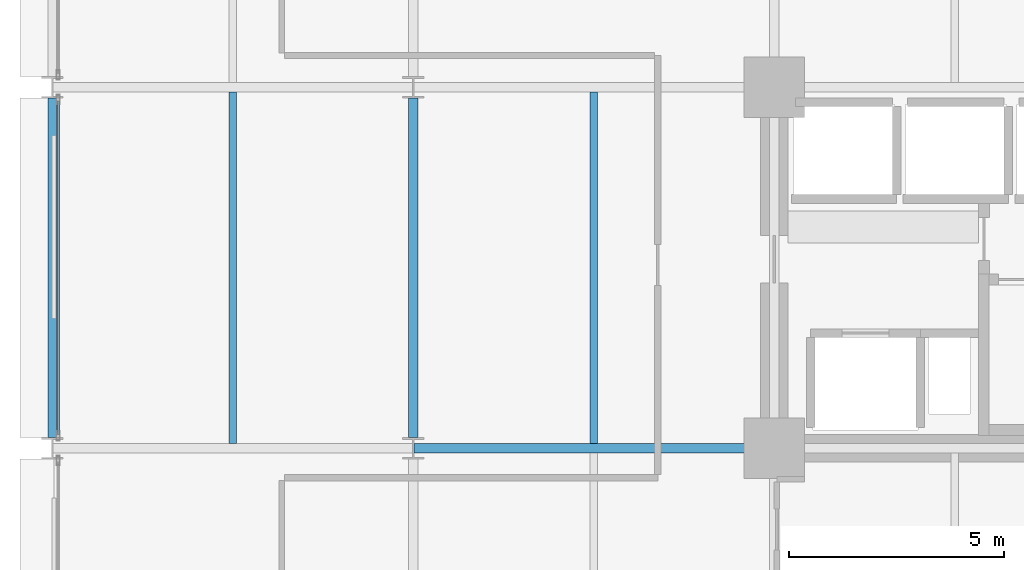
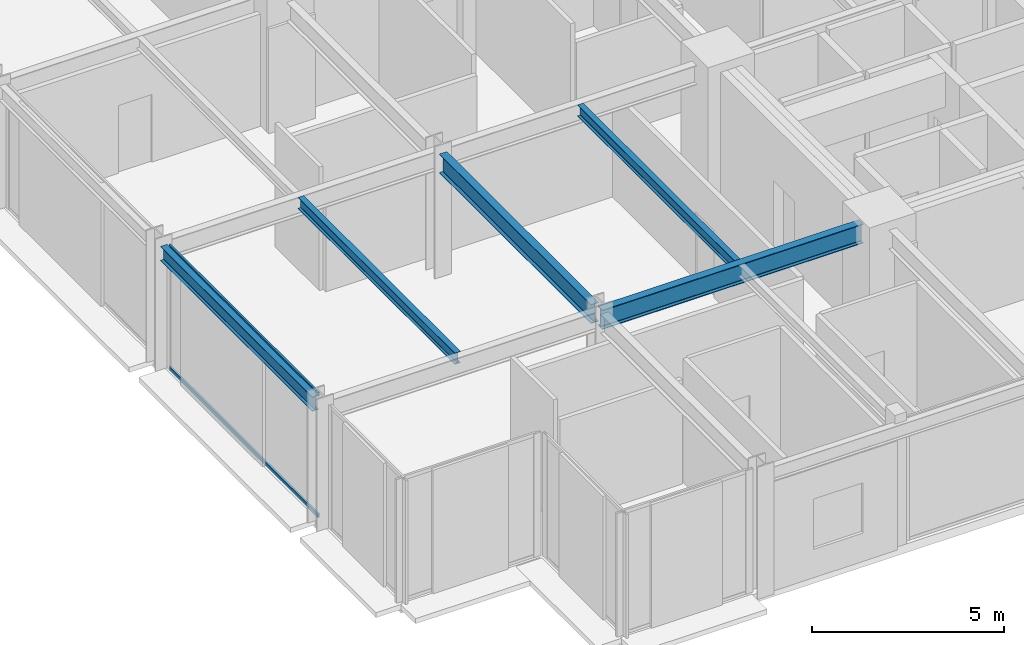
# One storey, part 3 of 25: 5 beams, 2 members, 1 element without a shape of its own.
"""IFC4 building model written with IfcOpenShell, lengths in metres."""

from ifc_helpers import new_model, si_unit, direction, frame, origin, origin_2d, place, context, subcontext, project, spatial, hollow_rectangle, i_section, extrude, material, layer, layer_set, material_profile, profile_set, type_object, element, aggregate, save


model = new_model("IFC4")

# Units and contexts
model_context = context("Model", 3, precision=1e-05, world=origin(), true_north=direction((0.0, 1.0)))
body_context = subcontext(model_context, "Body", "Model", "MODEL_VIEW")
ifc_project = project(units=[si_unit("LENGTHUNIT", "METRE"), si_unit("AREAUNIT", "SQUARE_METRE"), si_unit("VOLUMEUNIT", "CUBIC_METRE"), si_unit("PLANEANGLEUNIT", "RADIAN"), si_unit("MASSUNIT", "GRAM", prefix="KILO")], contexts=[model_context])

# Site, building, storey
site_placement = place(None, origin())
site = spatial("IfcSite", under=ifc_project, at=site_placement, CompositionType="ELEMENT")
building_placement = place(site_placement, origin())
building = spatial("IfcBuilding", under=site, at=building_placement, Name="Nerrivon Quay Data Exchange", CompositionType="ELEMENT")
storey_placement = place(building_placement, frame((0.0, 0.0, 41.60009765625)))
storey = spatial("IfcBuildingStorey", under=building, at=storey_placement, Name="L09", CompositionType="ELEMENT", Elevation=41.60009765625)

# Beams
ifc_material_1 = material(Name="Steel Grade 350", Category="steel")
ifc_material_profile_1 = material_profile(ifc_material_1, i_section(OverallWidth=0.22900390625, OverallDepth=0.612060546875, WebThickness=0.011962890625, FlangeThickness=0.01953125, FilletRadius=0.013916015625, at=origin_2d()), Name="610UB125")
ifc_profile_set_1 = profile_set([ifc_material_profile_1], Name="Steel Grade 350")
beam_type_1 = type_object("IfcBeamType", Name="BM-G1-610UB125", PredefinedType="BEAM", material=ifc_profile_set_1)
beam_1_placement = place(storey_placement, frame((8.4140625, 8.39990234375, 3.618896484375), z_axis=(1.0, 0.0, 0.0), x_axis=(0.0, 1.0, 0.0)))
element("IfcBeam", 1, at=beam_1_placement, inside=storey, type_object=beam_type_1, Name="L09 EW Girder Y=8.4 (8.4..16.8)", PredefinedType="BEAM", context=body_context, shape_type="SweptSolid", body=[
    extrude(i_section(OverallWidth=0.22900390625, OverallDepth=0.612060546875, WebThickness=0.011962890625, FlangeThickness=0.01953125, FilletRadius=0.013916015625, at=origin_2d()), origin(), (0.0, 0.0, 1.0), 7.845947265625),
])
ifc_material_profile_2 = material_profile(ifc_material_1, i_section(OverallWidth=0.22802734375, OverallDepth=0.60205078125, WebThickness=0.010498046875, FlangeThickness=0.014892578125, FilletRadius=0.013916015625, at=origin_2d()), Name="610UB101")
ifc_profile_set_2 = profile_set([ifc_material_profile_2], Name="Steel Grade 350")
beam_type_2 = type_object("IfcBeamType", Name="BM-G2-610UB101", PredefinedType="BEAM", material=ifc_profile_set_2)
beam_2_placement = place(storey_placement, frame((8.39990234375, 8.64990234375, 3.6240234375), z_axis=(0.0, 1.0, 0.0), x_axis=(-1.0, 0.0, 0.0)))
element("IfcBeam", 2, at=beam_2_placement, inside=storey, type_object=beam_type_2, Name="L09 NS Girder X=8.4 (8.4..16.8)", PredefinedType="BEAM", context=body_context, shape_type="SweptSolid", body=[
    extrude(i_section(OverallWidth=0.22802734375, OverallDepth=0.60205078125, WebThickness=0.010498046875, FlangeThickness=0.014892578125, FilletRadius=0.013916015625, at=origin_2d()), origin(), (0.0, 0.0, 1.0), 7.900146484375),
])
ifc_material_profile_3 = material_profile(ifc_material_1, i_section(OverallWidth=0.172119140625, OverallDepth=0.35888671875, WebThickness=0.008056640625, FlangeThickness=0.012939453125, FilletRadius=0.011474609375, at=origin_2d()), Name="360UB56.7")
ifc_profile_set_3 = profile_set([ifc_material_profile_3], Name="Steel Grade 350")
beam_type_3 = type_object("IfcBeamType", Name="BM-J3-360UB57", PredefinedType="JOIST", material=ifc_profile_set_3)
for number, where, z_axis, x_axis, name in (
    (3, (4.199951171875, 8.514404296875, 3.745361328125), (0.0, 1.0, 0.0), (-1.0, 0.0, 0.0), "L09 Secondary Joist X=4.2 (8.4..16.8)"),
    (4, (12.60009765625, 8.514404296875, 3.745361328125), (0.0, 1.0, 0.0), (-1.0, 0.0, 0.0), "L09 Secondary Joist X=12.6 (8.4..16.8)"),
):
    element("IfcBeam", number, at=place(storey_placement, frame(where, z_axis=z_axis, x_axis=x_axis)), inside=storey, type_object=beam_type_3, Name=name, PredefinedType="JOIST", context=body_context, shape_type="SweptSolid", body=[
        extrude(i_section(OverallWidth=0.172119140625, OverallDepth=0.35888671875, WebThickness=0.008056640625, FlangeThickness=0.012939453125, FilletRadius=0.011474609375, at=origin_2d()), origin(), (0.0, 0.0, 1.0), 8.171142578125),
    ])
ifc_material_profile_4 = material_profile(ifc_material_1, i_section(OverallWidth=0.18994140625, OverallDepth=0.4541015625, WebThickness=0.008544921875, FlangeThickness=0.0126953125, FilletRadius=0.011474609375, at=origin_2d()), Name="460UB67.1")
ifc_profile_set_4 = profile_set([ifc_material_profile_4], Name="Steel Grade 350")
beam_type_4 = type_object("IfcBeamType", Name="BM-SP1-460UB67", PredefinedType="SPANDREL", material=ifc_profile_set_4)
beam_3_placement = place(storey_placement, frame((0.0, 8.64990234375, 3.697998046875), z_axis=(0.0, 1.0, 0.0), x_axis=(-1.0, 0.0, 0.0)))
element("IfcBeam", 5, at=beam_3_placement, inside=storey, type_object=beam_type_4, Name="L09 NS Girder X=0.0 (8.4..16.8)", PredefinedType="SPANDREL", context=body_context, shape_type="SweptSolid", body=[
    extrude(i_section(OverallWidth=0.18994140625, OverallDepth=0.4541015625, WebThickness=0.008544921875, FlangeThickness=0.0126953125, FilletRadius=0.011474609375, at=origin_2d()), origin(), (0.0, 0.0, 1.0), 7.900146484375),
])

# Curtain wall, members
ifc_material_2 = material(Name="Anodised aluminium 6063-T6", Category="aluminium")
ifc_layer = layer(ifc_material_2, 0.219970703125)
ifc_layer_set = layer_set([ifc_layer], Name="Anodised aluminium 6063-T6")
curtain_wall_type = type_object("IfcCurtainWallType", Name="CW-SYS-01", PredefinedType="NOTDEFINED", material=ifc_layer_set)
curtain_wall_placement = place(storey_placement, origin())
curtain_wall = element("IfcCurtainWall", 6, at=curtain_wall_placement, inside=storey, type_object=curtain_wall_type, Name="L09 Unitised Curtain Wall 14", PredefinedType="NOTDEFINED")
ifc_material_profile_5 = material_profile(ifc_material_2, hollow_rectangle(XDim=0.06005859375, YDim=0.1201171875, WallThickness=0.003173828125, at=origin_2d()), Name="ALU-TRAN-120x60")
ifc_profile_set_5 = profile_set([ifc_material_profile_5], Name="Anodised aluminium 6063-T6")
member_type = type_object("IfcMemberType", Name="CWT-120x60", PredefinedType="USERDEFINED", material=ifc_profile_set_5)
member_1_placement = place(storey_placement, frame((0.139892578125, 8.72509765625, 0.032470703125), z_axis=(0.0, 1.0, 0.0), x_axis=(-1.0, 0.0, 0.0)))
member_1 = element("IfcMember", 7, at=member_1_placement, type_object=member_type, Name="CW01 transom 1.1", ObjectType="TRANSOM", PredefinedType="USERDEFINED", context=body_context, shape_type="SweptSolid", body=[
    extrude(hollow_rectangle(XDim=0.06005859375, YDim=0.1201171875, WallThickness=0.003173828125, at=origin_2d()), origin(), (0.0, 0.0, 1.0), 7.75),
])
member_2_placement = place(storey_placement, frame((0.139892578125, 8.72509765625, 3.892333984375), z_axis=(0.0, 1.0, 0.0), x_axis=(-1.0, 0.0, 0.0)))
member_2 = element("IfcMember", 8, at=member_2_placement, type_object=member_type, Name="CW01 transom 1.2", ObjectType="TRANSOM", PredefinedType="USERDEFINED", context=body_context, shape_type="SweptSolid", body=[
    extrude(hollow_rectangle(XDim=0.06005859375, YDim=0.1201171875, WallThickness=0.003173828125, at=origin_2d()), origin(), (0.0, 0.0, 1.0), 7.75),
])
aggregate(curtain_wall, [member_1, member_2])

save(model, "model.ifc")
